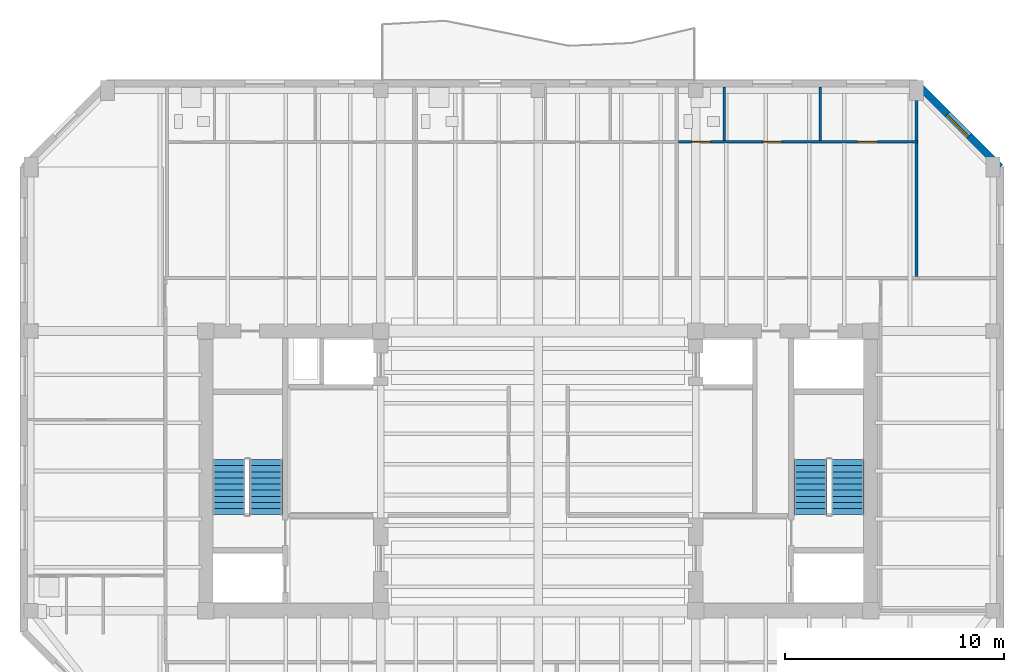
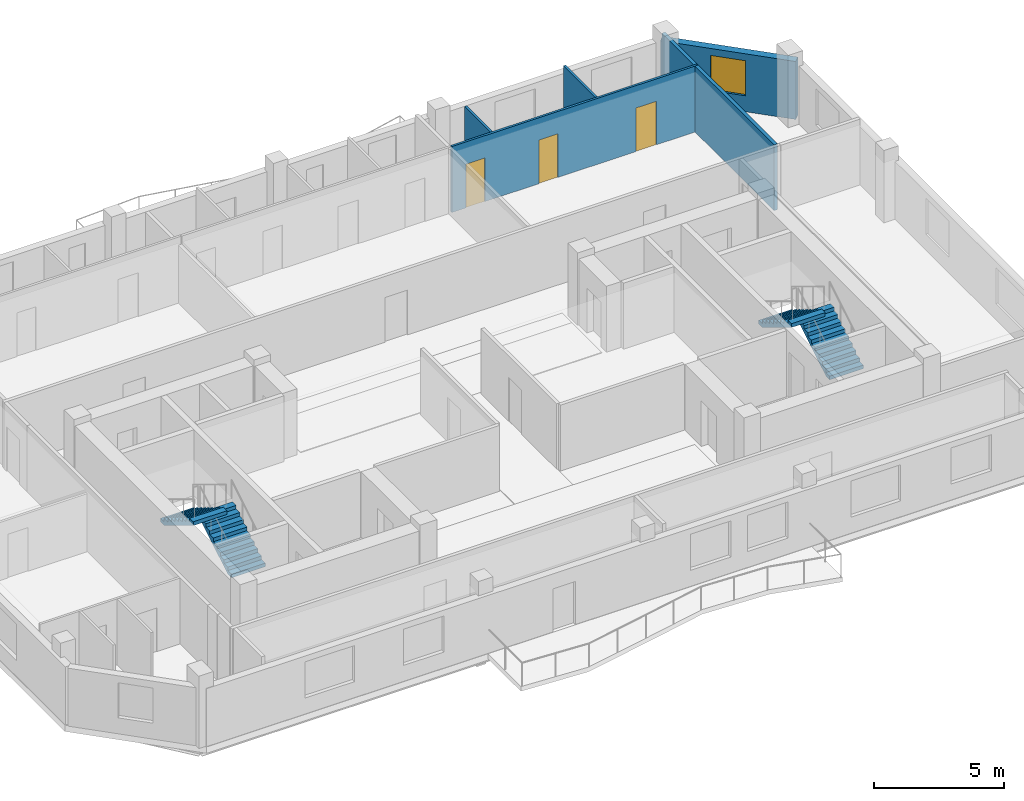
# One storey, part 6 of 10: 5 walls, 4 stair flights, 3 doors, 1 window, 4 openings, 2 elements without a shape of their own.
"""IFC4 building model written with IfcOpenShell, lengths in metres."""

from ifc_helpers import new_model, si_unit, direction, frame, frame_2d, origin, place, context, subcontext, project, spatial, polyline, rectangle, outline, extrude, material, layer, layer_set, type_object, element, fill, aggregate, save


model = new_model("IFC4")

# Units and contexts
model_context = context("Model", 3, precision=1e-05, world=origin(), true_north=direction((0.0, 1.0)))
body_context = subcontext(model_context, "Body", "Model", "MODEL_VIEW")
ifc_project = project(units=[si_unit("LENGTHUNIT", "METRE"), si_unit("AREAUNIT", "SQUARE_METRE"), si_unit("VOLUMEUNIT", "CUBIC_METRE"), si_unit("PLANEANGLEUNIT", "RADIAN"), si_unit("MASSUNIT", "GRAM", prefix="KILO")], contexts=[model_context])

# Site, building, storey
site_placement = place(None, origin())
site = spatial("IfcSite", under=ifc_project, at=site_placement, CompositionType="ELEMENT")
building_placement = place(site_placement, origin())
building = spatial("IfcBuilding", under=site, at=building_placement, Name="Kranthara Brick Stack", CompositionType="ELEMENT")
storey_placement = place(building_placement, frame((0.0, 0.0, 272.10009765625)))
storey = spatial("IfcBuildingStorey", under=building, at=storey_placement, Name="L72", CompositionType="ELEMENT", Elevation=272.10009765625)

# Wall, opening, window
ifc_material_1 = material(Name="Warm buff clay brick masonry M15", Category="masonry")
ifc_layer_1 = layer(ifc_material_1, 0.320068359375)
ifc_layer_set_1 = layer_set([ifc_layer_1], Name="Warm buff clay brick masonry M15")
wall_type_1 = type_object("IfcWallType", Name="WL-BRK-UPPR-320", PredefinedType="STANDARD", material=ifc_layer_set_1)
wall_1_placement = place(storey_placement, frame((45.300048828125, 44.919921875, 0.0), z_axis=(0.0, 0.0, 1.0), x_axis=(0.70712937715, -0.707084184501, 0.0)))
wall_1 = element("IfcWall", 1, at=wall_1_placement, inside=storey, type_object=wall_type_1, Name="L72 Exterior Brick Facade Wall NE 1", PredefinedType="STANDARD", context=body_context, shape_type="SweptSolid", body=[
    extrude(rectangle(XDim=5.402099609375, YDim=0.320068359375, at=frame_2d((2.701171875, 0.0))), origin(), (0.0, 0.0, 1.0), 2.724853515625),
])
opening_1_placement = place(wall_1_placement, frame((2.0009765625, 0.0, 0.75)))
opening_1 = element("IfcOpeningElement", 2, at=opening_1_placement, cuts=wall_1, Name="Opening WN10", PredefinedType="OPENING", context=body_context, shape_type="SweptSolid", body=[
    extrude(rectangle(XDim=1.39990234375, YDim=1.64990234375, at=frame_2d((0.699951171875, 0.824951171875))), frame((0.0, 0.169921875, 0.0), z_axis=(0.0, -1.0, 0.0), x_axis=(1.0, 0.0, 0.0)), (0.0, 0.0, 1.0), 0.340087890625),
])
ifc_material_2 = material(Name="Double-glazed low-E solar control glass", Category="glass")
window_type = type_object("IfcWindowType", Name="WN-CHM-1400x1750", PartitioningType="SINGLE_PANEL", PredefinedType="WINDOW", material=ifc_material_2)
window_placement = place(opening_1_placement, origin())
window = element("IfcWindow", 3, at=window_placement, inside=storey, type_object=window_type, Name="L72 NE Chamfer Corner Window", OverallHeight=1.64990234375, OverallWidth=1.39990234375, PartitioningType="SINGLE_PANEL", PredefinedType="WINDOW", context=body_context, shape_type="SweptSolid", body=[
    extrude(rectangle(XDim=1.39990234375, YDim=1.64990234375, at=frame_2d((0.699951171875, 0.824951171875))), frame((0.0, -0.010009765625, 0.0), z_axis=(0.0, -1.0, 0.0), x_axis=(1.0, 0.0, 0.0)), (0.0, 0.0, 1.0), 0.06005859375),
])
fill(opening_1, window)

# Wall, openings, doors
ifc_material_3 = material(Name="Moisture-resistant wet-room partition", Category="other")
ifc_layer_2 = layer(ifc_material_3, 0.10009765625)
ifc_layer_set_2 = layer_set([ifc_layer_2], Name="Moisture-resistant wet-room partition")
wall_type_2 = type_object("IfcWallType", Name="WL-PART-100", PredefinedType="PARTITIONING", material=ifc_layer_set_2)
wall_2_placement = place(storey_placement, frame((34.409912109375, 42.25, 0.0), z_axis=(0.0, 0.0, 1.0), x_axis=(1.0, 0.0, 0.0)))
wall_2 = element("IfcWall", 4, at=wall_2_placement, inside=storey, type_object=wall_type_2, Name="L72 Interior Partition 020", PredefinedType="PARTITIONING", context=body_context, shape_type="SweptSolid", body=[
    extrude(rectangle(XDim=10.93017578125, YDim=0.10009765625, at=frame_2d((5.465087890625, 0.0))), origin(), (0.0, 0.0, 1.0), 3.099853515625),
])
opening_2_placement = place(wall_2_placement, frame((0.625, 0.0, 0.0)))
opening_2 = element("IfcOpeningElement", 5, at=opening_2_placement, cuts=wall_2, Name="Opening D17", PredefinedType="OPENING", context=body_context, shape_type="SweptSolid", body=[
    extrude(rectangle(XDim=0.85009765625, YDim=2.050048828125, at=frame_2d((0.425048828125, 1.02490234375))), frame((0.0, 0.06005859375, 0.0), z_axis=(0.0, -1.0, 0.0), x_axis=(1.0, 0.0, 0.0)), (0.0, 0.0, 1.0), 0.1201171875),
])
opening_3_placement = place(wall_2_placement, frame((3.867919921875, 0.0, 0.0)))
opening_3 = element("IfcOpeningElement", 6, at=opening_3_placement, cuts=wall_2, Name="Opening D16", PredefinedType="OPENING", context=body_context, shape_type="SweptSolid", body=[
    extrude(rectangle(XDim=0.85009765625, YDim=2.050048828125, at=frame_2d((0.425048828125, 1.02490234375))), frame((0.0, 0.06005859375, 0.0), z_axis=(0.0, -1.0, 0.0), x_axis=(1.0, 0.0, 0.0)), (0.0, 0.0, 1.0), 0.1201171875),
])
opening_4_placement = place(wall_2_placement, frame((8.197998046875, 0.0, 0.0)))
opening_4 = element("IfcOpeningElement", 7, at=opening_4_placement, cuts=wall_2, Name="Opening D15", PredefinedType="OPENING", context=body_context, shape_type="SweptSolid", body=[
    extrude(rectangle(XDim=0.89990234375, YDim=2.050048828125, at=frame_2d((0.449951171875, 1.02490234375))), frame((0.0, 0.06005859375, 0.0), z_axis=(0.0, -1.0, 0.0), x_axis=(1.0, 0.0, 0.0)), (0.0, 0.0, 1.0), 0.1201171875),
])
ifc_material_4 = material(Name="Solid-core hardwood timber leaf in steel frame", Category="steel")
door_type_1 = type_object("IfcDoorType", Name="DR-INT-850", OperationType="NOTDEFINED", PredefinedType="DOOR", material=ifc_material_4)
door_1_placement = place(opening_3_placement, origin())
door_1 = element("IfcDoor", 8, at=door_1_placement, inside=storey, type_object=door_type_1, Name="L72 Unit L72C Kitchen 16", OperationType="SINGLE_SWING_RIGHT", OverallHeight=2.050048828125, OverallWidth=0.85009765625, PredefinedType="DOOR", context=body_context, shape_type="SweptSolid", body=[
    extrude(rectangle(XDim=0.85009765625, YDim=2.050048828125, at=frame_2d((0.425048828125, 1.02490234375))), frame((0.0, 0.02490234375, 0.0), z_axis=(0.0, -1.0, 0.0), x_axis=(1.0, 0.0, 0.0)), (0.0, 0.0, 1.0), 0.050048828125),
])
fill(opening_3, door_1)
ifc_material_5 = material(Name="Solid-core hardwood timber leaf in steel frame", Category="steel")
door_type_2 = type_object("IfcDoorType", Name="DR-INT-900", OperationType="NOTDEFINED", PredefinedType="DOOR", material=ifc_material_5)
door_2_placement = place(opening_4_placement, origin())
door_2 = element("IfcDoor", 9, at=door_2_placement, inside=storey, type_object=door_type_2, Name="L72 Unit L72C Bedroom 17", OperationType="SINGLE_SWING_LEFT", OverallHeight=2.050048828125, OverallWidth=0.89990234375, PredefinedType="DOOR", context=body_context, shape_type="SweptSolid", body=[
    extrude(rectangle(XDim=0.89990234375, YDim=2.050048828125, at=frame_2d((0.449951171875, 1.02490234375))), frame((0.0, 0.02490234375, 0.0), z_axis=(0.0, -1.0, 0.0), x_axis=(1.0, 0.0, 0.0)), (0.0, 0.0, 1.0), 0.050048828125),
])
fill(opening_4, door_2)
ifc_material_6 = material(Name="Solid-core hardwood timber leaf in steel frame", Category="steel")
door_type_3 = type_object("IfcDoorType", Name="DR-WET-850", OperationType="NOTDEFINED", PredefinedType="DOOR", material=ifc_material_6)
door_3_placement = place(opening_2_placement, origin())
door_3 = element("IfcDoor", 10, at=door_3_placement, inside=storey, type_object=door_type_3, Name="L72 Unit L72C Bathroom 15", OperationType="SINGLE_SWING_LEFT", OverallHeight=2.050048828125, OverallWidth=0.85009765625, PredefinedType="DOOR", context=body_context, shape_type="SweptSolid", body=[
    extrude(rectangle(XDim=0.85009765625, YDim=2.050048828125, at=frame_2d((0.425048828125, 1.02490234375))), frame((0.0, 0.02490234375, 0.0), z_axis=(0.0, -1.0, 0.0), x_axis=(1.0, 0.0, 0.0)), (0.0, 0.0, 1.0), 0.050048828125),
])
fill(opening_2, door_3)

# Walls
wall_3_placement = place(storey_placement, frame((36.510009765625, 42.304931640625, 0.0), z_axis=(0.0, 0.0, 1.0), x_axis=(0.0, 1.0, 0.0)))
element("IfcWall", 11, at=wall_3_placement, inside=storey, type_object=wall_type_2, Name="L72 Interior Partition 021", PredefinedType="PARTITIONING", context=body_context, shape_type="SweptSolid", body=[
    extrude(rectangle(XDim=2.449951171875, YDim=0.10009765625, at=frame_2d((1.22509765625, 0.0))), origin(), (0.0, 0.0, 1.0), 2.724853515625),
])
wall_4_placement = place(storey_placement, frame((40.89599609375, 42.304931640625, 0.0), z_axis=(0.0, 0.0, 1.0), x_axis=(0.0, 1.0, 0.0)))
element("IfcWall", 12, at=wall_4_placement, inside=storey, type_object=wall_type_2, Name="L72 Interior Partition 022", PredefinedType="PARTITIONING", context=body_context, shape_type="SweptSolid", body=[
    extrude(rectangle(XDim=2.449951171875, YDim=0.10009765625, at=frame_2d((1.22509765625, 0.0))), origin(), (0.0, 0.0, 1.0), 3.099853515625),
])
ifc_material_7 = material(Name="Fire-rated gypsum board partition", Category="other")
ifc_layer_3 = layer(ifc_material_7, 0.14990234375)
ifc_layer_set_3 = layer_set([ifc_layer_3], Name="Fire-rated gypsum board partition")
wall_type_3 = type_object("IfcWallType", Name="WL-PART-150", PredefinedType="PARTITIONING", material=ifc_layer_set_3)
wall_5_placement = place(storey_placement, frame((45.300048828125, 36.10009765625, 0.0), z_axis=(0.0, 0.0, 1.0), x_axis=(0.0, 1.0, 0.0)))
element("IfcWall", 13, at=wall_5_placement, inside=storey, type_object=wall_type_3, Name="L72 Interior Partition 023", PredefinedType="PARTITIONING", context=body_context, shape_type="SweptSolid", body=[
    extrude(rectangle(XDim=8.65478515625, YDim=0.14990234375, at=frame_2d((4.327392578125, 0.0))), origin(), (0.0, 0.0, 1.0), 3.099853515625),
])

# Stair, stair flights
ifc_material_8 = material(Name="Concrete C45/55", Category="concrete")
stair_type = type_object("IfcStairType", Name="ST-CORE-20R", PredefinedType="HALF_TURN_STAIR", material=ifc_material_8)
stair_1_placement = place(storey_placement, origin())
stair_1 = element("IfcStair", 14, at=stair_1_placement, inside=storey, type_object=stair_type, Name="L72 West Core Protected Exit Stair ST01", PredefinedType="HALF_TURN_STAIR")
ifc_material_9 = material(Name="Concrete C45/55", Category="concrete")
stair_flight_type = type_object("IfcStairFlightType", Name="SFL-RC-20R", PredefinedType="STRAIGHT", material=ifc_material_9)
stair_flight_1_placement = place(storey_placement, frame((15.550048828125, 25.199951171875, 0.0), z_axis=(0.0, 0.0, 1.0), x_axis=(0.0, 1.0, 0.0)))
stair_flight_1 = element("IfcStairFlight", 15, at=stair_flight_1_placement, type_object=stair_flight_type, Name="ST01 flight 1", NumberOfRisers=10, NumberOfTreads=9, PredefinedType="STRAIGHT", RiserHeight=0.17, TreadLength=0.28, context=body_context, shape_type="SweptSolid", body=[
    extrude(outline(polyline([(0.0, 0.0), (0.0, 0.169921875), (0.280029296875, 0.169921875), (0.280029296875, 0.340087890625), (0.56005859375, 0.340087890625), (0.56005859375, 0.510009765625), (0.840087890625, 0.510009765625), (0.840087890625, 0.679931640625), (1.1201171875, 0.679931640625), (1.1201171875, 0.85009765625), (1.39990234375, 0.85009765625), (1.39990234375, 1.02001953125), (1.679931640625, 1.02001953125), (1.679931640625, 1.18994140625), (1.9599609375, 1.18994140625), (1.9599609375, 1.360107421875), (2.239990234375, 1.360107421875), (2.239990234375, 1.530029296875), (2.52001953125, 1.530029296875), (2.52001953125, 1.699951171875), (2.52001953125, 1.354736328125), (0.288818359375, 0.0), (0.0, 0.0)])), frame((0.0, 0.75, 0.0), z_axis=(0.0, -1.0, 0.0), x_axis=(1.0, 0.0, 0.0)), (0.0, 0.0, 1.0), 1.5),
])
stair_flight_2_placement = place(storey_placement, frame((13.85009765625, 27.719970703125, 1.699951171875), z_axis=(0.0, 0.0, 1.0), x_axis=(0.0, -1.0, 0.0)))
stair_flight_2 = element("IfcStairFlight", 16, at=stair_flight_2_placement, type_object=stair_flight_type, Name="ST01 flight 2", NumberOfRisers=10, NumberOfTreads=9, PredefinedType="STRAIGHT", RiserHeight=0.17, TreadLength=0.28, context=body_context, shape_type="SweptSolid", body=[
    extrude(outline(polyline([(0.0, 0.0), (0.0, 0.169921875), (0.280029296875, 0.169921875), (0.280029296875, 0.340087890625), (0.56005859375, 0.340087890625), (0.56005859375, 0.510009765625), (0.840087890625, 0.510009765625), (0.840087890625, 0.679931640625), (1.1201171875, 0.679931640625), (1.1201171875, 0.85009765625), (1.39990234375, 0.85009765625), (1.39990234375, 1.02001953125), (1.679931640625, 1.02001953125), (1.679931640625, 1.18994140625), (1.9599609375, 1.18994140625), (1.9599609375, 1.360107421875), (2.239990234375, 1.360107421875), (2.239990234375, 1.530029296875), (2.52001953125, 1.530029296875), (2.52001953125, 1.699951171875), (2.52001953125, 1.354736328125), (0.288818359375, 0.0), (0.0, 0.0)])), frame((0.0, 0.75, 0.0), z_axis=(0.0, -1.0, 0.0), x_axis=(1.0, 0.0, 0.0)), (0.0, 0.0, 1.0), 1.5),
])
aggregate(stair_1, [stair_flight_1, stair_flight_2])

stair_2_placement = place(storey_placement, origin())
stair_2 = element("IfcStair", 17, at=stair_2_placement, inside=storey, type_object=stair_type, Name="L72 East Core Protected Exit Stair ST02", PredefinedType="HALF_TURN_STAIR")
stair_flight_3_placement = place(storey_placement, frame((42.14990234375, 25.199951171875, 0.0), z_axis=(0.0, 0.0, 1.0), x_axis=(0.0, 1.0, 0.0)))
stair_flight_3 = element("IfcStairFlight", 18, at=stair_flight_3_placement, type_object=stair_flight_type, Name="ST02 flight 1", NumberOfRisers=10, NumberOfTreads=9, PredefinedType="STRAIGHT", RiserHeight=0.17, TreadLength=0.28, context=body_context, shape_type="SweptSolid", body=[
    extrude(outline(polyline([(0.0, 0.0), (0.0, 0.169921875), (0.280029296875, 0.169921875), (0.280029296875, 0.340087890625), (0.56005859375, 0.340087890625), (0.56005859375, 0.510009765625), (0.840087890625, 0.510009765625), (0.840087890625, 0.679931640625), (1.1201171875, 0.679931640625), (1.1201171875, 0.85009765625), (1.39990234375, 0.85009765625), (1.39990234375, 1.02001953125), (1.679931640625, 1.02001953125), (1.679931640625, 1.18994140625), (1.9599609375, 1.18994140625), (1.9599609375, 1.360107421875), (2.239990234375, 1.360107421875), (2.239990234375, 1.530029296875), (2.52001953125, 1.530029296875), (2.52001953125, 1.699951171875), (2.52001953125, 1.354736328125), (0.288818359375, 0.0), (0.0, 0.0)])), frame((0.0, 0.75, 0.0), z_axis=(0.0, -1.0, 0.0), x_axis=(1.0, 0.0, 0.0)), (0.0, 0.0, 1.0), 1.5),
])
stair_flight_4_placement = place(storey_placement, frame((40.449951171875, 27.719970703125, 1.699951171875), z_axis=(0.0, 0.0, 1.0), x_axis=(0.0, -1.0, 0.0)))
stair_flight_4 = element("IfcStairFlight", 19, at=stair_flight_4_placement, type_object=stair_flight_type, Name="ST02 flight 2", NumberOfRisers=10, NumberOfTreads=9, PredefinedType="STRAIGHT", RiserHeight=0.17, TreadLength=0.28, context=body_context, shape_type="SweptSolid", body=[
    extrude(outline(polyline([(0.0, 0.0), (0.0, 0.169921875), (0.280029296875, 0.169921875), (0.280029296875, 0.340087890625), (0.56005859375, 0.340087890625), (0.56005859375, 0.510009765625), (0.840087890625, 0.510009765625), (0.840087890625, 0.679931640625), (1.1201171875, 0.679931640625), (1.1201171875, 0.85009765625), (1.39990234375, 0.85009765625), (1.39990234375, 1.02001953125), (1.679931640625, 1.02001953125), (1.679931640625, 1.18994140625), (1.9599609375, 1.18994140625), (1.9599609375, 1.360107421875), (2.239990234375, 1.360107421875), (2.239990234375, 1.530029296875), (2.52001953125, 1.530029296875), (2.52001953125, 1.699951171875), (2.52001953125, 1.354736328125), (0.288818359375, 0.0), (0.0, 0.0)])), frame((0.0, 0.75, 0.0), z_axis=(0.0, -1.0, 0.0), x_axis=(1.0, 0.0, 0.0)), (0.0, 0.0, 1.0), 1.5),
])
aggregate(stair_2, [stair_flight_3, stair_flight_4])

save(model, "model.ifc")
